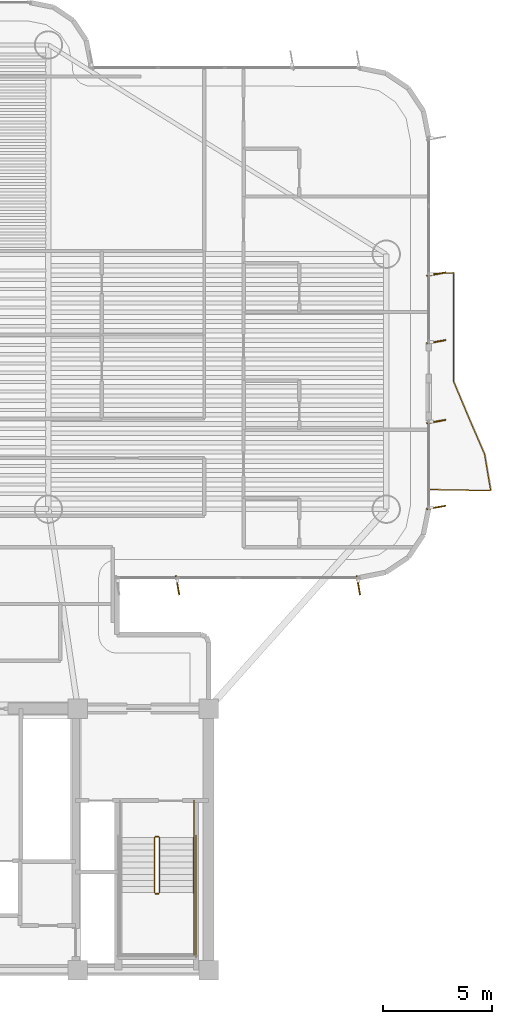
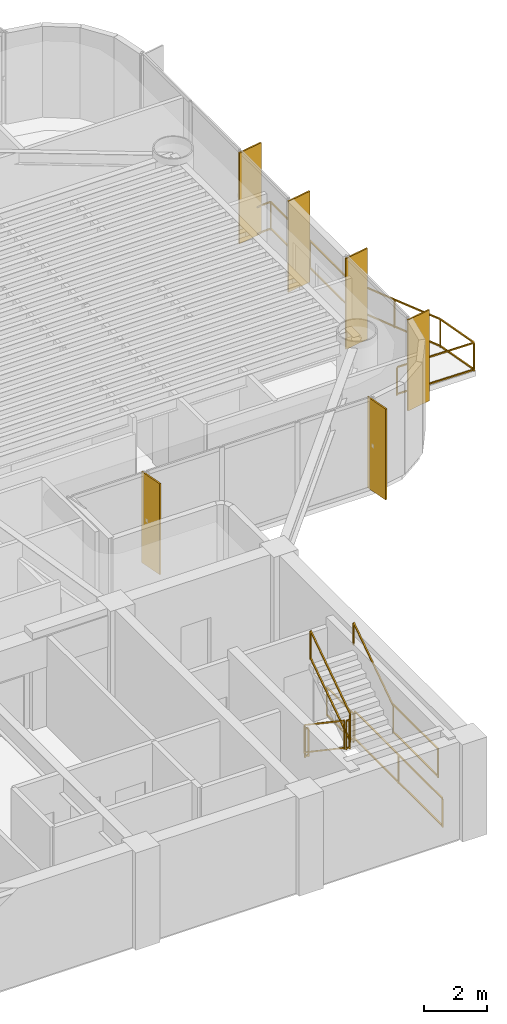
# One storey, part 16 of 17: 9 railings, 6 shading devices.
"""IFC4 building model written with IfcOpenShell, lengths in metres."""

from ifc_helpers import new_model, si_unit, direction, frame, origin, origin_2d, place, context, subcontext, project, spatial, rectangle, extrude, source, transform, mapped, material, layer, layer_set, material_profile, profile_set, type_object, element, save


model = new_model("IFC4")

# Units and contexts
model_context = context("Model", 3, precision=1e-05, world=origin(), true_north=direction((0.0, 1.0)))
body_context = subcontext(model_context, "Body", "Model", "MODEL_VIEW")
ifc_project = project(units=[si_unit("LENGTHUNIT", "METRE"), si_unit("AREAUNIT", "SQUARE_METRE"), si_unit("VOLUMEUNIT", "CUBIC_METRE"), si_unit("PLANEANGLEUNIT", "RADIAN"), si_unit("MASSUNIT", "GRAM", prefix="KILO")], contexts=[model_context])

# Site, building, storey
site_placement = place(None, origin())
site = spatial("IfcSite", under=ifc_project, at=site_placement, CompositionType="ELEMENT")
building_placement = place(site_placement, origin())
building = spatial("IfcBuilding", under=site, at=building_placement, Name="Brelvock Crest Care Tower", CompositionType="ELEMENT")
storey_placement = place(building_placement, frame((0.0, 0.0, 131.39990234375)))
storey = spatial("IfcBuildingStorey", under=building, at=storey_placement, Name="L33", CompositionType="ELEMENT", Elevation=131.39990234375)

# Railings
ifc_material_1 = material(Name="Dark Glass Double Glazed Low-E", Category="glass")
ifc_layer_1 = layer(ifc_material_1, 0.06005859375, Name="RL-BAL1")
ifc_layer_set_1 = layer_set([ifc_layer_1], Name="Dark Glass Double Glazed Low-E")
railing_type_1 = type_object("IfcRailingType", Name="RL-BAL1", PredefinedType="BALUSTRADE", material=ifc_layer_set_1)
railing_1_placement = place(storey_placement, frame((58.139892578125, 28.050048828125, 0.004150390625)))
element("IfcRailing", 1, at=railing_1_placement, inside=storey, type_object=railing_type_1, Name="L33 Safety Balustrade WB-E", PredefinedType="BALUSTRADE", context=body_context, shape_type="SweptSolid", body=[
    extrude(rectangle(XDim=0.048095703125, YDim=0.048095703125, at=origin_2d()), frame((0.001953125, 0.0, 1.09619140625), z_axis=(0.999840293507, -0.017871415134, 0.0), x_axis=(0.017871415134, 0.999840293507, 0.0)), (0.0, 0.0, 1.0), 2.79638671875),
    extrude(rectangle(XDim=0.048095703125, YDim=0.048095703125, at=origin_2d()), frame((0.001953125, 0.0, 0.054931640625), z_axis=(0.999840293507, -0.017871415134, 0.0), x_axis=(0.017871415134, 0.999840293507, 0.0)), (0.0, 0.0, 1.0), 2.79638671875),
    extrude(rectangle(XDim=0.048095703125, YDim=0.048095703125, at=origin_2d()), frame((2.7998046875, -0.048095703125, 1.09619140625), z_axis=(-0.165125179616, 0.986272617006, 0.0), x_axis=(-0.986272617006, -0.165125179616, 0.0)), (0.0, 0.0, 1.0), 1.68603515625),
    extrude(rectangle(XDim=0.048095703125, YDim=0.048095703125, at=origin_2d()), frame((2.7998046875, -0.048095703125, 0.054931640625), z_axis=(-0.165125179616, 0.986272617006, 0.0), x_axis=(-0.986272617006, -0.165125179616, 0.0)), (0.0, 0.0, 1.0), 1.68603515625),
    extrude(rectangle(XDim=0.048095703125, YDim=0.048095703125, at=origin_2d()), frame((2.520263671875, 1.61865234375, 1.09619140625), z_axis=(-0.39727539454, 0.917699439301, 0.0), x_axis=(-0.917699439301, -0.39727539454, 0.0)), (0.0, 0.0, 1.0), 1.81201171875),
    extrude(rectangle(XDim=0.048095703125, YDim=0.048095703125, at=origin_2d()), frame((2.520263671875, 1.61865234375, 0.054931640625), z_axis=(-0.39727539454, 0.917699439301, 0.0), x_axis=(-0.917699439301, -0.39727539454, 0.0)), (0.0, 0.0, 1.0), 1.81201171875),
    extrude(rectangle(XDim=0.048095703125, YDim=0.048095703125, at=origin_2d()), frame((1.798828125, 3.28515625, 1.09619140625), z_axis=(-0.386963805718, 0.922094904586, 0.0), x_axis=(-0.922094904586, -0.386963805718, 0.0)), (0.0, 0.0, 1.0), 1.803466796875),
    extrude(rectangle(XDim=0.048095703125, YDim=0.048095703125, at=origin_2d()), frame((1.798828125, 3.28515625, 0.054931640625), z_axis=(-0.386963805718, 0.922094904586, 0.0), x_axis=(-0.922094904586, -0.386963805718, 0.0)), (0.0, 0.0, 1.0), 1.803466796875),
    extrude(rectangle(XDim=0.048095703125, YDim=0.048095703125, at=origin_2d()), frame((1.10009765625, 4.951904296875, 1.09619140625), z_axis=(0.0, 1.0, 0.0), x_axis=(-1.0, 0.0, 0.0)), (0.0, 0.0, 1.0), 4.99609375),
    extrude(rectangle(XDim=0.048095703125, YDim=0.048095703125, at=origin_2d()), frame((1.10009765625, 4.951904296875, 0.054931640625), z_axis=(0.0, 1.0, 0.0), x_axis=(-1.0, 0.0, 0.0)), (0.0, 0.0, 1.0), 4.99609375),
    extrude(rectangle(XDim=0.048095703125, YDim=0.048095703125, at=origin_2d()), frame((1.09814453125, 9.949951171875, 1.09619140625), z_axis=(-0.998966710972, -0.045447886318, 0.0), x_axis=(0.045447886318, -0.998966710972, 0.0)), (0.0, 0.0, 1.0), 1.09716796875),
    extrude(rectangle(XDim=0.048095703125, YDim=0.048095703125, at=origin_2d()), frame((1.09814453125, 9.949951171875, 0.054931640625), z_axis=(-0.998966710972, -0.045447886318, 0.0), x_axis=(0.045447886318, -0.998966710972, 0.0)), (0.0, 0.0, 1.0), 1.09716796875),
    extrude(rectangle(XDim=0.0419921875, YDim=0.0419921875, at=origin_2d()), origin(), (0.0, 0.0, 1.0), 1.070068359375),
    extrude(rectangle(XDim=0.0419921875, YDim=0.0419921875, at=origin_2d()), frame((2.800048828125, -0.050048828125, 0.0)), (0.0, 0.0, 1.0), 1.070068359375),
    extrude(rectangle(XDim=0.0419921875, YDim=0.0419921875, at=origin_2d()), frame((2.52099609375, 1.61669921875, 0.0)), (0.0, 0.0, 1.0), 1.070068359375),
    extrude(rectangle(XDim=0.0419921875, YDim=0.0419921875, at=origin_2d()), frame((1.799560546875, 3.283203125, 0.0)), (0.0, 0.0, 1.0), 1.070068359375),
    extrude(rectangle(XDim=0.0419921875, YDim=0.0419921875, at=origin_2d()), frame((1.10009765625, 4.949951171875, 0.0)), (0.0, 0.0, 1.0), 1.070068359375),
    extrude(rectangle(XDim=0.0419921875, YDim=0.0419921875, at=origin_2d()), frame((1.10009765625, 7.449951171875, 0.0)), (0.0, 0.0, 1.0), 1.070068359375),
    extrude(rectangle(XDim=0.0419921875, YDim=0.0419921875, at=origin_2d()), frame((1.10009765625, 9.949951171875, 0.0)), (0.0, 0.0, 1.0), 1.070068359375),
    extrude(rectangle(XDim=0.0419921875, YDim=0.0419921875, at=origin_2d()), frame((0.0, 9.89990234375, 0.0)), (0.0, 0.0, 1.0), 1.070068359375),
])
ifc_material_2 = material(Name="Steel Grade 350", Category="steel")
ifc_layer_2 = layer(ifc_material_2, 0.050048828125, Name="RL-STG1")
ifc_layer_set_2 = layer_set([ifc_layer_2], Name="Steel Grade 350")
railing_type_2 = type_object("IfcRailingType", Name="RL-STG1", PredefinedType="GUARDRAIL", material=ifc_layer_set_2)
railing_2_placement = place(storey_placement, frame((45.52001953125, 12.080078125, 0.189208984375)))
element("IfcRailing", 2, at=railing_2_placement, inside=storey, type_object=railing_type_2, Name="L33 ST-2 stair guard 1", PredefinedType="GUARDRAIL", context=body_context, shape_type="SweptSolid", body=[
    extrude(rectangle(XDim=0.048095703125, YDim=0.048095703125, at=origin_2d()), frame((0.0, -0.001708984375, 1.116943359375), z_axis=(0.0, -0.828861706735, 0.559453546873), x_axis=(1.0, 0.0, 0.0)), (0.0, 0.0, 1.0), 3.036376953125),
    extrude(rectangle(XDim=0.048095703125, YDim=0.048095703125, at=origin_2d()), frame((0.0, -0.001708984375, 0.05615234375), z_axis=(0.0, -0.828861706735, 0.559453546873), x_axis=(1.0, 0.0, 0.0)), (0.0, 0.0, 1.0), 3.036376953125),
    extrude(rectangle(XDim=0.0419921875, YDim=0.0419921875, at=origin_2d()), origin(), (0.0, 0.0, 1.0), 1.08984375),
    extrude(rectangle(XDim=0.0419921875, YDim=0.0419921875, at=origin_2d()), frame((0.0, -2.52001953125, 1.700927734375)), (0.0, 0.0, 1.0), 1.08984375),
])
railing_3_placement = place(storey_placement, frame((45.570068359375, 9.510009765625, 1.89013671875)))
element("IfcRailing", 3, at=railing_3_placement, inside=storey, type_object=railing_type_2, Name="L33 ST-2 stair guard 2", PredefinedType="GUARDRAIL", context=body_context, shape_type="SweptSolid", body=[
    extrude(rectangle(XDim=0.048095703125, YDim=0.048095703125, at=origin_2d()), frame((0.001953125, 0.0, 1.11572265625), z_axis=(1.0, 0.0, 0.0), x_axis=(0.0, 1.0, 0.0)), (0.0, 0.0, 1.0), 0.115966796875),
    extrude(rectangle(XDim=0.048095703125, YDim=0.048095703125, at=origin_2d()), frame((0.001953125, 0.0, 0.054931640625), z_axis=(1.0, 0.0, 0.0), x_axis=(0.0, 1.0, 0.0)), (0.0, 0.0, 1.0), 0.115966796875),
    extrude(rectangle(XDim=0.0419921875, YDim=0.0419921875, at=origin_2d()), origin(), (0.0, 0.0, 1.0), 1.08984375),
    extrude(rectangle(XDim=0.0419921875, YDim=0.0419921875, at=origin_2d()), frame((0.119873046875, 0.0, 0.0)), (0.0, 0.0, 1.0), 1.08984375),
])
railing_4_placement = place(storey_placement, frame((47.320068359375, 9.56005859375, 1.89013671875)))
element("IfcRailing", 4, at=railing_4_placement, inside=storey, type_object=railing_type_2, Name="L33 ST-2 stair guard 4", PredefinedType="GUARDRAIL", context=body_context, shape_type="SweptSolid", body=[
    extrude(rectangle(XDim=0.048095703125, YDim=0.048095703125, at=origin_2d()), frame((0.0, -0.001953125, 1.11572265625), z_axis=(0.0, -1.0, 0.0), x_axis=(1.0, 0.0, 0.0)), (0.0, 0.0, 1.0), 2.856201171875),
    extrude(rectangle(XDim=0.048095703125, YDim=0.048095703125, at=origin_2d()), frame((0.0, -0.001953125, 0.054931640625), z_axis=(0.0, -1.0, 0.0), x_axis=(1.0, 0.0, 0.0)), (0.0, 0.0, 1.0), 2.856201171875),
    extrude(rectangle(XDim=0.0419921875, YDim=0.0419921875, at=origin_2d()), origin(), (0.0, 0.0, 1.0), 1.08984375),
    extrude(rectangle(XDim=0.0419921875, YDim=0.0419921875, at=origin_2d()), frame((0.0, -2.860107421875, 0.0)), (0.0, 0.0, 1.0), 1.08984375),
])
railing_5_placement = place(storey_placement, frame((45.739990234375, 9.56005859375, 2.0791015625)))
element("IfcRailing", 5, at=railing_5_placement, inside=storey, type_object=railing_type_2, Name="L33 ST-2 stair guard 6", PredefinedType="GUARDRAIL", context=body_context, shape_type="SweptSolid", body=[
    extrude(rectangle(XDim=0.048095703125, YDim=0.048095703125, at=origin_2d()), frame((0.0, 0.001708984375, 1.116943359375), z_axis=(0.0, 0.828861706735, 0.559453546873), x_axis=(-1.0, 0.0, 0.0)), (0.0, 0.0, 1.0), 3.036376953125),
    extrude(rectangle(XDim=0.048095703125, YDim=0.048095703125, at=origin_2d()), frame((0.0, 0.001708984375, 0.05615234375), z_axis=(0.0, 0.828861706735, 0.559453546873), x_axis=(-1.0, 0.0, 0.0)), (0.0, 0.0, 1.0), 3.036376953125),
    extrude(rectangle(XDim=0.0419921875, YDim=0.0419921875, at=origin_2d()), origin(), (0.0, 0.0, 1.0), 1.08984375),
    extrude(rectangle(XDim=0.0419921875, YDim=0.0419921875, at=origin_2d()), frame((0.0, 2.52001953125, 1.700927734375)), (0.0, 0.0, 1.0), 1.08984375),
])
railing_6_placement = place(storey_placement, frame((45.570068359375, 12.1298828125, 0.0)))
element("IfcRailing", 6, at=railing_6_placement, inside=storey, type_object=railing_type_2, Name="L33 ST-2 stair guard 7", PredefinedType="GUARDRAIL", context=body_context, shape_type="SweptSolid", body=[
    extrude(rectangle(XDim=0.048095703125, YDim=0.048095703125, at=origin_2d()), frame((0.001953125, 0.0, 1.11572265625), z_axis=(1.0, 0.0, 0.0), x_axis=(0.0, 1.0, 0.0)), (0.0, 0.0, 1.0), 0.115966796875),
    extrude(rectangle(XDim=0.048095703125, YDim=0.048095703125, at=origin_2d()), frame((0.001953125, 0.0, 0.054931640625), z_axis=(1.0, 0.0, 0.0), x_axis=(0.0, 1.0, 0.0)), (0.0, 0.0, 1.0), 0.115966796875),
    extrude(rectangle(XDim=0.0419921875, YDim=0.0419921875, at=origin_2d()), origin(), (0.0, 0.0, 1.0), 1.08984375),
    extrude(rectangle(XDim=0.0419921875, YDim=0.0419921875, at=origin_2d()), frame((0.119873046875, 0.0, 0.0)), (0.0, 0.0, 1.0), 1.08984375),
])
railing_7_placement = place(storey_placement, frame((47.320068359375, 13.780029296875, 0.0)))
element("IfcRailing", 7, at=railing_7_placement, inside=storey, type_object=railing_type_2, Name="L33 ST-2 stair guard 9", PredefinedType="GUARDRAIL", context=body_context, shape_type="SweptSolid", body=[
    extrude(rectangle(XDim=0.048095703125, YDim=0.048095703125, at=origin_2d()), frame((0.0, -0.001953125, 1.11572265625), z_axis=(0.0, -1.0, 0.0), x_axis=(1.0, 0.0, 0.0)), (0.0, 0.0, 1.0), 1.696044921875),
    extrude(rectangle(XDim=0.048095703125, YDim=0.048095703125, at=origin_2d()), frame((0.0, -0.001953125, 0.054931640625), z_axis=(0.0, -1.0, 0.0), x_axis=(1.0, 0.0, 0.0)), (0.0, 0.0, 1.0), 1.696044921875),
    extrude(rectangle(XDim=0.0419921875, YDim=0.0419921875, at=origin_2d()), origin(), (0.0, 0.0, 1.0), 1.08984375),
    extrude(rectangle(XDim=0.0419921875, YDim=0.0419921875, at=origin_2d()), frame((0.0, -1.699951171875, 0.0)), (0.0, 0.0, 1.0), 1.08984375),
])
railing_8_placement = place(storey_placement, frame((47.419921875, 12.179931640625, 0.0)))
element("IfcRailing", 8, at=railing_8_placement, inside=storey, type_object=railing_type_2, Name="L33 ST-2 stair guard 11", PredefinedType="GUARDRAIL", context=body_context, shape_type="SweptSolid", body=[
    extrude(rectangle(XDim=0.048095703125, YDim=0.048095703125, at=origin_2d()), frame((0.0, -0.001953125, 1.11572265625), z_axis=(0.0, -1.0, 0.0), x_axis=(1.0, 0.0, 0.0)), (0.0, 0.0, 1.0), 5.575927734375),
    extrude(rectangle(XDim=0.048095703125, YDim=0.048095703125, at=origin_2d()), frame((0.0, -0.001953125, 0.054931640625), z_axis=(0.0, -1.0, 0.0), x_axis=(1.0, 0.0, 0.0)), (0.0, 0.0, 1.0), 5.575927734375),
    extrude(rectangle(XDim=0.0419921875, YDim=0.0419921875, at=origin_2d()), origin(), (0.0, 0.0, 1.0), 1.08984375),
    extrude(rectangle(XDim=0.0419921875, YDim=0.0419921875, at=origin_2d()), frame((0.0, -2.7900390625, 0.0)), (0.0, 0.0, 1.0), 1.08984375),
    extrude(rectangle(XDim=0.0419921875, YDim=0.0419921875, at=origin_2d()), frame((0.0, -5.579833984375, 0.0)), (0.0, 0.0, 1.0), 1.08984375),
])
ifc_layer_3 = layer(ifc_material_2, 0.048095703125, Name="RL-STH1")
ifc_layer_set_3 = layer_set([ifc_layer_3], Name="Steel Grade 350")
railing_type_3 = type_object("IfcRailingType", Name="RL-STH1", PredefinedType="HANDRAIL", material=ifc_layer_set_3)
railing_9_placement = place(storey_placement, frame((47.320068359375, 9.56005859375, 2.0791015625)))
element("IfcRailing", 9, at=railing_9_placement, inside=storey, type_object=railing_type_3, Name="L33 ST-2 stair handrail 2", PredefinedType="HANDRAIL", context=body_context, shape_type="SweptSolid", body=[
    extrude(rectangle(XDim=0.048095703125, YDim=0.048095703125, at=origin_2d()), frame((0.0, 0.001708984375, 0.876953125), z_axis=(0.0, 0.828861706735, 0.559453546873), x_axis=(-1.0, 0.0, 0.0)), (0.0, 0.0, 1.0), 3.036376953125),
    extrude(rectangle(XDim=0.0419921875, YDim=0.0419921875, at=origin_2d()), origin(), (0.0, 0.0, 1.0), 0.849853515625),
    extrude(rectangle(XDim=0.0419921875, YDim=0.0419921875, at=origin_2d()), frame((0.0, 2.52001953125, 1.700927734375)), (0.0, 0.0, 1.0), 0.849853515625),
])

# Shading devices
ifc_material_3 = material(Name="Aluminium 6063-T6", Category="aluminium")
ifc_material_profile = material_profile(ifc_material_3, rectangle(XDim=0.054931640625, YDim=0.89990234375, at=origin_2d()), Name="FIN55x900")
ifc_profile_set = profile_set([ifc_material_profile], Name="Aluminium 6063-T6")
shading_device_type = type_object("IfcShadingDeviceType", Name="SHD-FIN1", PredefinedType="USERDEFINED", material=ifc_profile_set)
shared_shape = source(origin(), body_context, "Body", "SweptSolid", [
    extrude(rectangle(XDim=0.054931640625, YDim=0.89990234375, at=origin_2d()), origin(), (0.0, 0.0, 1.0), 3.530029296875),
])
for number, where, z_axis, x_axis, name in (
    (10, (58.43994140625, 37.933349609375, 0.0), (0.0, 0.0, 1.0), (0.173648177667, -0.984807753012, 0.0), "L33 Vertical Sunshade Fin E39A-03"),
    (11, (58.43994140625, 34.830078125, 0.0), (0.0, 0.0, 1.0), (0.173648177667, -0.984807753012, 0.0), "L33 Vertical Sunshade Fin E39A-04"),
    (12, (58.43994140625, 31.169921875, 0.0), (0.0, 0.0, 1.0), (0.173648177667, -0.984807753012, 0.0), "L33 Vertical Sunshade Fin E39B-01"),
    (13, (58.43994140625, 27.22998046875, 0.0), (0.0, 0.0, 1.0), (0.173648177667, -0.984807753012, 0.0), "L33 Vertical Sunshade Fin E39B-02"),
    (14, (54.8701171875, 23.659912109375, 0.0), (0.0, 0.0, 1.0), (-0.984807753012, -0.173648177667, 0.0), "L33 Vertical Sunshade Fin E44-01"),
    (15, (46.574951171875, 23.659912109375, 0.0), (0.0, 0.0, 1.0), (-0.984807753012, -0.173648177667, 0.0), "L33 Vertical Sunshade Fin E44-04"),
):
    element("IfcShadingDevice", number, at=place(storey_placement, frame(where, z_axis=z_axis, x_axis=x_axis)), inside=storey, type_object=shading_device_type, Name=name, ObjectType="FIN", PredefinedType="USERDEFINED", context=body_context, shape_type="MappedRepresentation", body=[
        mapped(shared_shape, transform((0.0, 0.0, 0.0), x_axis=(1.0, 0.0, 0.0), y_axis=(0.0, 1.0, 0.0), z_axis=(0.0, 0.0, 1.0), scale=1.0)),
    ])

save(model, "model.ifc")
